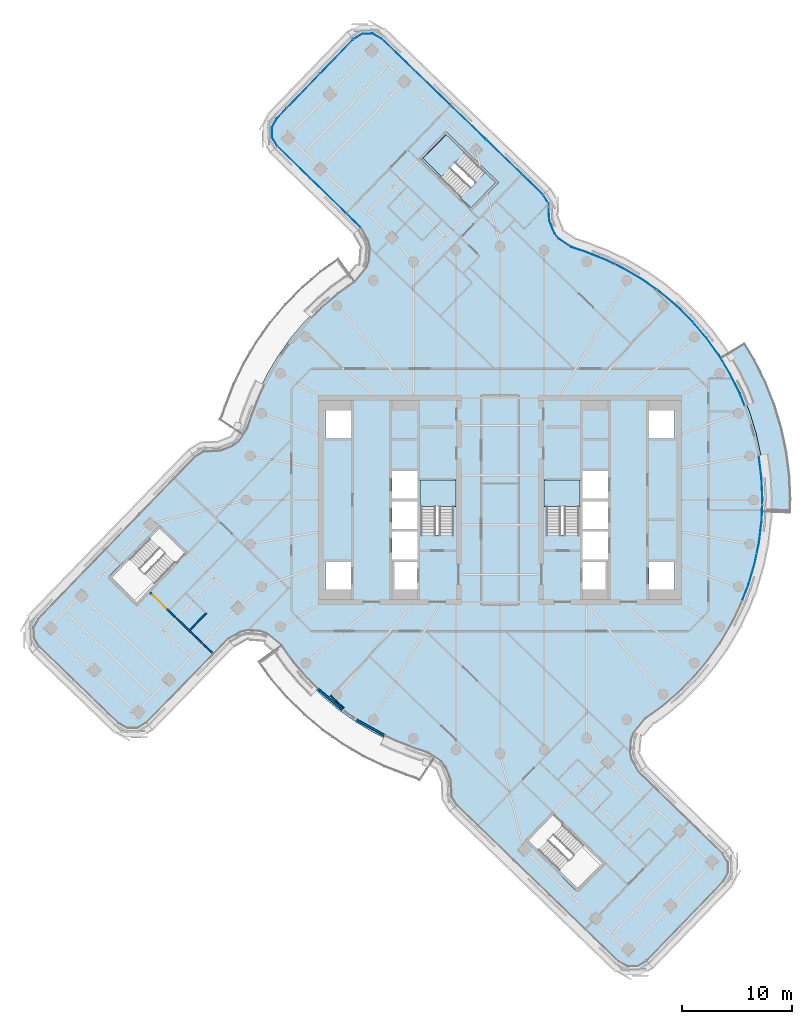
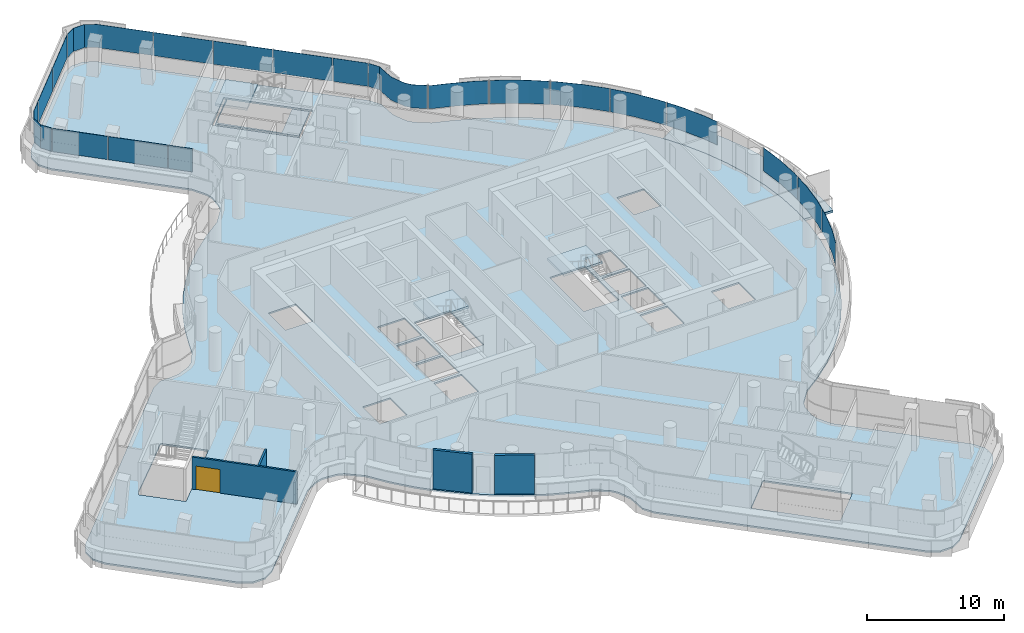
# One storey, part 18 of 31: 20 plates, 6 slabs, 5 walls, 1 door, 1 opening, 7 elements without a shape of their own.
"""IFC4 building model written with IfcOpenShell, lengths in metres."""

from ifc_helpers import new_model, si_unit, direction, frame, frame_2d, origin, place, context, subcontext, project, spatial, polyline, rectangle, outline, extrude, material, layer, layer_set, type_object, element, fill, aggregate, save


model = new_model("IFC4")

# Units and contexts
model_context = context("Model", 3, precision=1e-05, world=origin(), true_north=direction((0.0, 1.0)))
body_context = subcontext(model_context, "Body", "Model", "MODEL_VIEW")
ifc_project = project(units=[si_unit("LENGTHUNIT", "METRE"), si_unit("AREAUNIT", "SQUARE_METRE"), si_unit("VOLUMEUNIT", "CUBIC_METRE"), si_unit("PLANEANGLEUNIT", "RADIAN"), si_unit("MASSUNIT", "GRAM", prefix="KILO")], contexts=[model_context])

# Site, building, storey
site_placement = place(None, origin())
site = spatial("IfcSite", under=ifc_project, at=site_placement, CompositionType="ELEMENT")
building_placement = place(site_placement, origin())
building = spatial("IfcBuilding", under=site, at=building_placement, Name="Tamarind Cross Interchange Tower", CompositionType="ELEMENT")
storey_placement = place(building_placement, frame((0.0, 0.0, 200.5)))
storey = spatial("IfcBuildingStorey", under=building, at=storey_placement, Name="L50", CompositionType="ELEMENT", Elevation=200.5)

# Slabs
ifc_material_1 = material(Name="Precast concrete C40", Category="concrete")
ifc_layer_1 = layer(ifc_material_1, 0.199951171875)
ifc_layer_set_1 = layer_set([ifc_layer_1], Name="Precast concrete C40")
slab_type_1 = type_object("IfcSlabType", Name="Balcony slab", PredefinedType="BASESLAB", material=ifc_layer_set_1)
slab_1_placement = place(storey_placement, frame((0.0, 0.0, -0.199951171875)))
element("IfcSlab", 1, at=slab_1_placement, inside=storey, type_object=slab_type_1, Name="SLB-L50-BAL06", PredefinedType="BASESLAB", context=body_context, shape_type="SweptSolid", body=[
    extrude(outline(polyline([(23.953369140625, -1.03955078125), (23.995849609375, 0.103271484375), (23.9052734375, 2.08447265625), (23.6513671875, 4.051513671875), (23.236083984375, 5.99072265625), (22.662109375, 7.88916015625), (21.93310546875, 9.733642578125), (21.054443359375, 11.511474609375), (20.18017578125, 12.964599609375), (22.236572265625, 14.201904296875), (23.162109375, 12.663818359375), (24.128662109375, 10.7080078125), (24.9306640625, 8.6787109375), (25.56201171875, 6.59033203125), (26.01904296875, 4.45703125), (26.298095703125, 2.293212890625), (26.397705078125, 0.113525390625), (26.351806640625, -1.12841796875), (23.953369140625, -1.03955078125)])), origin(), (0.0, 0.0, 1.0), 0.199951171875),
])
ifc_material_2 = material(Name="Concrete C35", Category="concrete")
ifc_layer_2 = layer(ifc_material_2, 0.139892578125)
ifc_layer_set_2 = layer_set([ifc_layer_2], Name="Concrete C35")
slab_type_2 = type_object("IfcSlabType", Name="Composite slab 140 Concrete C35", PredefinedType="FLOOR", material=ifc_layer_set_2)
slab_2_placement = place(storey_placement, frame((0.0, 0.0, -0.139892578125)))
element("IfcSlab", 2, at=slab_2_placement, inside=storey, type_object=slab_type_2, Name="Floor slab L50", PredefinedType="FLOOR", context=body_context, shape_type="SweptSolid", body=[
    extrude(outline(polyline([(-26.953857421875, 4.587158203125), (-27.806640625, 4.064697265625), (-41.9814453125, -10.59912109375), (-42.48388671875, -11.504150390625), (-42.46630859375, -12.539306640625), (-41.93359375, -13.427001953125), (-34.74365234375, -20.377197265625), (-33.83837890625, -20.879638671875), (-32.80322265625, -20.862060546875), (-31.915771484375, -20.329345703125), (-24.533935546875, -12.753662109375), (-23.410400390625, -12.125), (-22.860107421875, -12.003173828125), (-21.723388671875, -12.087646484375), (-21.197265625, -12.28955078125), (-19.978271484375, -13.2861328125), (-18.87255859375, -14.820068359375), (-17.584228515625, -16.327880859375), (-16.17578125, -17.72412109375), (-14.656982421875, -18.99951171875), (-13.0380859375, -20.14501953125), (-11.329833984375, -21.15283203125), (-9.54443359375, -22.01611328125), (-7.693603515625, -22.72900390625), (-6.571044921875, -23.109130859375), (-5.478759765625, -23.836181640625), (-5.115478515625, -24.280517578125), (-4.6767578125, -25.355712890625), (-4.63134765625, -25.95458984375), (-4.587158203125, -26.953857421875), (-4.064697265625, -27.806640625), (10.59912109375, -41.9814453125), (11.504150390625, -42.48388671875), (12.539306640625, -42.46630859375), (13.427001953125, -41.93359375), (20.377197265625, -34.74365234375), (20.879638671875, -33.83837890625), (20.862060546875, -32.80322265625), (20.329345703125, -31.915771484375), (12.753662109375, -24.533935546875), (12.125, -23.410400390625), (12.003173828125, -22.860107421875), (12.087646484375, -21.723388671875), (12.28955078125, -21.197265625), (13.2861328125, -19.978271484375), (14.820068359375, -18.87255859375), (16.327880859375, -17.584228515625), (17.72412109375, -16.17578125), (18.99951171875, -14.656982421875), (20.14501953125, -13.0380859375), (21.15283203125, -11.329833984375), (22.01611328125, -9.54443359375), (22.72900390625, -7.693603515625), (23.286865234375, -5.79052734375), (23.685546875, -3.84765625), (23.92236328125, -1.878662109375), (23.99560546875, 0.103271484375), (23.9052734375, 2.08447265625), (23.651611328125, 4.051513671875), (23.236083984375, 5.99072265625), (22.662109375, 7.88916015625), (21.93310546875, 9.7333984375), (21.054443359375, 11.511474609375), (20.031982421875, 13.2109375), (18.87255859375, 14.820068359375), (17.584228515625, 16.327880859375), (16.17578125, 17.72412109375), (14.656982421875, 18.99951171875), (13.0380859375, 20.14501953125), (11.329833984375, 21.15283203125), (9.54443359375, 22.01611328125), (7.693603515625, 22.72900390625), (6.571044921875, 23.109130859375), (5.478759765625, 23.836181640625), (5.115478515625, 24.280517578125), (4.6767578125, 25.355712890625), (4.63134765625, 25.95458984375), (4.587158203125, 26.953857421875), (4.064697265625, 27.806640625), (-10.59912109375, 41.9814453125), (-11.504150390625, 42.48388671875), (-12.539306640625, 42.46630859375), (-13.427001953125, 41.93359375), (-20.377197265625, 34.74365234375), (-20.879638671875, 33.83837890625), (-20.862060546875, 32.80322265625), (-20.329345703125, 31.915771484375), (-12.753662109375, 24.533935546875), (-12.125, 23.410400390625), (-12.003173828125, 22.860107421875), (-12.087646484375, 21.723388671875), (-12.28955078125, 21.197265625), (-13.2861328125, 19.978271484375), (-14.820068359375, 18.87255859375), (-16.327880859375, 17.584228515625), (-17.72412109375, 16.17578125), (-18.99951171875, 14.656982421875), (-20.14501953125, 13.0380859375), (-21.15283203125, 11.329833984375), (-22.01611328125, 9.54443359375), (-22.72900390625, 7.693603515625), (-23.109130859375, 6.571044921875), (-23.836181640625, 5.478759765625), (-24.280517578125, 5.115478515625), (-25.355712890625, 4.6767578125), (-25.95458984375, 4.63134765625), (-26.953857421875, 4.587158203125)]), holes=[polyline([(-32.940673828125, -9.59130859375), (-33.08447265625, -9.452392578125), (-35.385009765625, -7.228271484375), (-35.52880859375, -7.08935546875), (-35.330810546875, -6.88427734375), (-35.373046875, -6.841796875), (-33.0439453125, -4.5185546875), (-30.872314453125, -2.27197265625), (-30.728515625, -2.410888671875), (-28.427734375, -4.635009765625), (-28.283935546875, -4.774169921875), (-32.940673828125, -9.59130859375)]), polyline([(-13.5, -8.125), (-15.800048828125, -8.125), (-15.800048828125, -5.625), (-13.5, -5.625), (-13.5, -8.125)]), polyline([(-7.5, -8.125), (-9.800048828125, -8.125), (-9.800048828125, -5.625), (-7.5, -5.625), (-7.5, -8.125)]), polyline([(-7.5, -5.375), (-9.800048828125, -5.375), (-9.800048828125, -2.875), (-7.5, -2.875), (-7.5, -5.375)]), polyline([(-7.5, -2.625), (-9.800048828125, -2.625), (-9.800048828125, -0.125), (-7.5, -0.125), (-7.5, -2.625)]), polyline([(-4.199951171875, 1.800048828125), (-4.199951171875, -3.18798828125), (-7.14990234375, -3.18798828125), (-7.14990234375, 1.800048828125), (-4.199951171875, 1.800048828125)]), polyline([(-7.5, 0.125), (-9.800048828125, 0.125), (-9.800048828125, 2.625), (-7.5, 2.625), (-7.5, 0.125)]), polyline([(-13.5, 5.625), (-15.800048828125, 5.625), (-15.800048828125, 8.125), (-13.5, 8.125), (-13.5, 5.625)]), polyline([(-2.6171875, 26.198974609375), (-7.434326171875, 30.85546875), (-7.29541015625, 30.999267578125), (-5.0712890625, 33.300048828125), (-4.932373046875, 33.44384765625), (-4.726806640625, 33.245361328125), (-4.72314453125, 33.2490234375), (-4.5185546875, 33.0439453125), (-0.114990234375, 28.787109375), (-0.254150390625, 28.6435546875), (-2.47802734375, 26.3427734375), (-2.6171875, 26.198974609375)]), polyline([(2.27197265625, -30.872314453125), (2.410888671875, -30.728515625), (4.635009765625, -28.427734375), (4.774169921875, -28.283935546875), (9.59130859375, -32.940673828125), (9.452392578125, -33.08447265625), (7.228271484375, -35.385009765625), (7.08935546875, -35.52880859375), (6.88427734375, -35.330810546875), (6.841796875, -35.373046875), (4.5185546875, -33.0439453125), (2.27197265625, -30.872314453125)]), polyline([(7.5, -5.625), (9.800048828125, -5.625), (9.800048828125, -8.125), (7.5, -8.125), (7.5, -5.625)]), polyline([(13.5, -5.625), (15.800048828125, -5.625), (15.800048828125, -8.125), (13.5, -8.125), (13.5, -5.625)]), polyline([(7.5, -2.875), (9.800048828125, -2.875), (9.800048828125, -5.375), (7.5, -5.375), (7.5, -2.875)]), polyline([(7.5, -0.125), (9.800048828125, -0.125), (9.800048828125, -2.625), (7.5, -2.625), (7.5, -0.125)]), polyline([(7.14990234375, 1.800048828125), (7.14990234375, -3.18798828125), (4.199951171875, -3.18798828125), (4.199951171875, 1.800048828125), (7.14990234375, 1.800048828125)]), polyline([(7.5, 2.625), (9.800048828125, 2.625), (9.800048828125, 0.125), (7.5, 0.125), (7.5, 2.625)]), polyline([(13.5, 8.125), (15.800048828125, 8.125), (15.800048828125, 5.625), (13.5, 5.625), (13.5, 8.125)])]), origin(), (0.0, 0.0, 1.0), 0.139892578125),
])
slab_3_placement = place(storey_placement, frame((0.0, 0.0, -0.139892578125)))
element("IfcSlab", 3, at=slab_3_placement, inside=storey, type_object=slab_type_2, Name="Floor slab L50", PredefinedType="FLOOR", context=body_context, shape_type="SweptSolid", body=[
    extrude(outline(polyline([(-4.927490234375, 33.1611328125), (-7.151611328125, 30.8603515625), (-2.621826171875, 26.481689453125), (-0.39794921875, 28.782470703125), (-1.34130859375, 29.6943359375), (-3.485107421875, 27.4765625), (-6.98876953125, 30.9892578125), (-4.868408203125, 33.10400390625), (-4.927490234375, 33.1611328125)])), origin(), (0.0, 0.0, 1.0), 0.139892578125),
])

# Stair, slab
ifc_material_3 = material(Name="Exit stair")
stair_type = type_object("IfcStairType", Name="Exit stair", PredefinedType="HALF_TURN_STAIR", material=ifc_material_3)
stair_1_placement = place(storey_placement, origin())
stair_1 = element("IfcStair", 4, at=stair_1_placement, inside=storey, type_object=stair_type, Name="L50 exit stair ST1", PredefinedType="HALF_TURN_STAIR")
ifc_material_4 = material(Name="Concrete C40", Category="concrete")
ifc_layer_3 = layer(ifc_material_4, 0.199951171875)
ifc_layer_set_3 = layer_set([ifc_layer_3], Name="Concrete C40")
slab_type_3 = type_object("IfcSlabType", Name="Stair landing", PredefinedType="LANDING", material=ifc_layer_set_3)
slab_4_placement = place(storey_placement, frame((0.0, 0.0, 1.60009765625)))
slab_4 = element("IfcSlab", 5, at=slab_4_placement, type_object=slab_type_3, Name="ST1 landing 1", PredefinedType="LANDING", context=body_context, shape_type="SweptSolid", body=[
    extrude(outline(polyline([(-4.0, -0.60009765625), (-4.0, 1.800048828125), (-7.25, 1.800048828125), (-7.25, -0.60009765625), (-4.0, -0.60009765625)])), origin(), (0.0, 0.0, 1.0), 0.199951171875),
])
aggregate(stair_1, [slab_4])

stair_2_placement = place(storey_placement, origin())
stair_2 = element("IfcStair", 6, at=stair_2_placement, inside=storey, type_object=stair_type, Name="L50 exit stair ST2", PredefinedType="HALF_TURN_STAIR")
slab_5_placement = place(storey_placement, frame((0.0, 0.0, 1.60009765625)))
slab_5 = element("IfcSlab", 7, at=slab_5_placement, type_object=slab_type_3, Name="ST2 landing 1", PredefinedType="LANDING", context=body_context, shape_type="SweptSolid", body=[
    extrude(outline(polyline([(7.25, -0.60009765625), (7.25, 1.800048828125), (4.0, 1.800048828125), (4.0, -0.60009765625), (7.25, -0.60009765625)])), origin(), (0.0, 0.0, 1.0), 0.199951171875),
])
aggregate(stair_2, [slab_5])

stair_3_placement = place(storey_placement, origin())
stair_3 = element("IfcStair", 8, at=stair_3_placement, inside=storey, type_object=stair_type, Name="L50 exit stair ST4", PredefinedType="HALF_TURN_STAIR")
slab_6_placement = place(storey_placement, frame((0.0, 0.0, 1.60009765625)))
slab_6 = element("IfcSlab", 9, at=slab_6_placement, type_object=slab_type_3, Name="ST4 landing 1", PredefinedType="LANDING", context=body_context, shape_type="SweptSolid", body=[
    extrude(outline(polyline([(-3.193359375, 31.484619140625), (-4.927490234375, 33.1611328125), (-7.151611328125, 30.8603515625), (-5.41748046875, 29.183837890625), (-3.193359375, 31.484619140625)])), origin(), (0.0, 0.0, 1.0), 0.199951171875),
])
aggregate(stair_3, [slab_6])

# Curtain wall, plates
ifc_material_5 = material(Name="Aluminium 6063-T6", Category="aluminium")
ifc_layer_4 = layer(ifc_material_5, 0.139892578125)
ifc_layer_set_4 = layer_set([ifc_layer_4], Name="Aluminium 6063-T6")
curtain_wall_type = type_object("IfcCurtainWallType", Name="Hotel curtain wall, 4.5 m bays", PredefinedType="NOTDEFINED", material=ifc_layer_set_4)
curtain_wall_1_placement = place(storey_placement, origin())
curtain_wall_1 = element("IfcCurtainWall", 10, at=curtain_wall_1_placement, inside=storey, type_object=curtain_wall_type, Name="CWS-L50-06", PredefinedType="NOTDEFINED")
ifc_material_6 = material(Name="Laminated low-e glass 6+1.52+6", Category="glass")
ifc_layer_5 = layer(ifc_material_6, 0.02392578125)
ifc_layer_set_5 = layer_set([ifc_layer_5], Name="Laminated low-e glass 6+1.52+6")
plate_type = type_object("IfcPlateType", Name="Vision panel CW2", PredefinedType="CURTAIN_PANEL", material=ifc_layer_set_5)
plate_1_placement = place(storey_placement, frame((0.0, 0.0, 1.39990234375)))
plate_1 = element("IfcPlate", 11, at=plate_1_placement, type_object=plate_type, Name="CWP-L50-06-04", PredefinedType="CURTAIN_PANEL", context=body_context, shape_type="SweptSolid", body=[
    extrude(outline(polyline([(21.964599609375, -9.088623046875), (22.528076171875, -7.625732421875), (23.080810546875, -5.7392578125), (23.256103515625, -4.88525390625), (23.279541015625, -4.89013671875), (23.104248046875, -5.7451171875), (22.55078125, -7.63330078125), (21.98681640625, -9.09716796875), (21.964599609375, -9.088623046875)])), origin(), (0.0, 0.0, 1.0), 2.06005859375),
])
plate_2_placement = place(storey_placement, frame((0.0, 0.0, 1.39990234375)))
plate_2 = element("IfcPlate", 12, at=plate_2_placement, type_object=plate_type, Name="CWP-L50-06-05", PredefinedType="CURTAIN_PANEL", context=body_context, shape_type="SweptSolid", body=[
    extrude(outline(polyline([(23.268310546875, -4.826416015625), (23.47607421875, -3.813720703125), (23.710693359375, -1.862060546875), (23.7626953125, -0.45751953125), (23.786865234375, -0.45849609375), (23.734619140625, -1.864013671875), (23.499755859375, -3.817626953125), (23.291748046875, -4.831298828125), (23.268310546875, -4.826416015625)])), origin(), (0.0, 0.0, 1.0), 2.06005859375),
])
plate_3_placement = place(storey_placement, frame((0.0, 0.0, 1.39990234375)))
plate_3 = element("IfcPlate", 13, at=plate_3_placement, type_object=plate_type, Name="CWP-L50-06-06", PredefinedType="CURTAIN_PANEL", context=body_context, shape_type="SweptSolid", body=[
    extrude(outline(polyline([(23.76513671875, -0.3974609375), (23.783447265625, 0.102294921875), (23.69384765625, 2.06591796875), (23.44580078125, 3.98876953125), (23.469482421875, 3.991943359375), (23.7177734375, 2.068115234375), (23.8076171875, 0.1025390625), (23.7890625, -0.3984375), (23.76513671875, -0.3974609375)])), origin(), (0.0, 0.0, 1.0), 2.06005859375),
])
plate_4_placement = place(storey_placement, frame((0.0, 0.0, 1.39990234375)))
plate_4 = element("IfcPlate", 14, at=plate_4_placement, type_object=plate_type, Name="CWP-L50-06-08", PredefinedType="CURTAIN_PANEL", context=body_context, shape_type="SweptSolid", body=[
    extrude(outline(polyline([(22.176025390625, 8.5419921875), (21.7392578125, 9.6474609375), (20.868408203125, 11.40966796875), (20.223388671875, 12.4814453125), (20.243896484375, 12.493896484375), (20.889404296875, 11.421142578125), (21.76123046875, 9.6572265625), (22.198486328125, 8.55078125), (22.176025390625, 8.5419921875)])), origin(), (0.0, 0.0, 1.0), 2.06005859375),
])
plate_5_placement = place(storey_placement, frame((0.0, 0.0, 1.39990234375)))
plate_5 = element("IfcPlate", 15, at=plate_5_placement, type_object=plate_type, Name="CWP-L50-06-09", PredefinedType="CURTAIN_PANEL", context=body_context, shape_type="SweptSolid", body=[
    extrude(outline(polyline([(20.1923828125, 12.532958984375), (19.854736328125, 13.093994140625), (18.705810546875, 14.68896484375), (17.546630859375, 16.045654296875), (17.564697265625, 16.061279296875), (18.724609375, 14.703857421875), (19.874755859375, 13.107177734375), (20.213134765625, 12.545166015625), (20.1923828125, 12.532958984375)])), origin(), (0.0, 0.0, 1.0), 2.06005859375),
])
plate_6_placement = place(storey_placement, frame((0.0, 0.0, 1.39990234375)))
plate_6 = element("IfcPlate", 16, at=plate_6_placement, type_object=plate_type, Name="CWP-L50-06-10", PredefinedType="CURTAIN_PANEL", context=body_context, shape_type="SweptSolid", body=[
    extrude(outline(polyline([(17.507568359375, 16.09130859375), (17.4287109375, 16.183349609375), (16.032958984375, 17.5673828125), (14.52734375, 18.83154296875), (14.240966796875, 19.0341796875), (14.2548828125, 19.0537109375), (14.5419921875, 18.850341796875), (16.049072265625, 17.585205078125), (17.4462890625, 16.19970703125), (17.52587890625, 16.10693359375), (17.507568359375, 16.09130859375)])), origin(), (0.0, 0.0, 1.0), 2.06005859375),
])
plate_7_placement = place(storey_placement, frame((0.0, 0.0, 1.39990234375)))
plate_7 = element("IfcPlate", 17, at=plate_7_placement, type_object=plate_type, Name="CWP-L50-06-11", PredefinedType="CURTAIN_PANEL", context=body_context, shape_type="SweptSolid", body=[
    extrude(outline(polyline([(14.19189453125, 19.06884765625), (12.922607421875, 19.966796875), (11.229736328125, 20.9658203125), (10.433349609375, 21.350830078125), (10.443603515625, 21.37255859375), (11.240966796875, 20.98681640625), (12.935791015625, 19.987060546875), (14.205810546875, 19.08837890625), (14.19189453125, 19.06884765625)])), origin(), (0.0, 0.0, 1.0), 2.06005859375),
])
plate_8_placement = place(storey_placement, frame((0.0, 0.0, 1.39990234375)))
plate_8 = element("IfcPlate", 18, at=plate_8_placement, type_object=plate_type, Name="CWP-L50-06-12", PredefinedType="CURTAIN_PANEL", context=body_context, shape_type="SweptSolid", body=[
    extrude(outline(polyline([(10.379150390625, 21.376953125), (9.4599609375, 21.821533203125), (7.62158203125, 22.52978515625), (6.476806640625, 22.917236328125), (6.2783203125, 23.04931640625), (6.291748046875, 23.069091796875), (6.487548828125, 22.93896484375), (7.6298828125, 22.55224609375), (9.469482421875, 21.843505859375), (10.3896484375, 21.398681640625), (10.379150390625, 21.376953125)])), origin(), (0.0, 0.0, 1.0), 2.06005859375),
])
plate_9_placement = place(storey_placement, frame((0.0, 0.0, 1.39990234375)))
plate_9 = element("IfcPlate", 19, at=plate_9_placement, type_object=plate_type, Name="CWP-L50-06-13", PredefinedType="CURTAIN_PANEL", context=body_context, shape_type="SweptSolid", body=[
    extrude(outline(polyline([(6.228515625, 23.08251953125), (5.3349609375, 23.677490234375), (4.93115234375, 24.171142578125), (4.468017578125, 25.306640625), (4.419677734375, 25.941650390625), (4.377685546875, 26.8896484375), (3.912841796875, 27.648681640625), (3.933349609375, 27.661376953125), (4.4013671875, 26.89697265625), (4.443603515625, 25.943115234375), (4.49169921875, 25.312255859375), (4.9521484375, 24.183349609375), (5.35107421875, 23.6953125), (6.24169921875, 23.1025390625), (6.228515625, 23.08251953125)])), origin(), (0.0, 0.0, 1.0), 2.06005859375),
])
aggregate(curtain_wall_1, [plate_1, plate_2, plate_3, plate_4, plate_5, plate_6, plate_7, plate_8, plate_9])

curtain_wall_2_placement = place(storey_placement, origin())
curtain_wall_2 = element("IfcCurtainWall", 20, at=curtain_wall_2_placement, inside=storey, type_object=curtain_wall_type, Name="CWS-L50-07", PredefinedType="NOTDEFINED")
plate_10_placement = place(storey_placement, frame((0.0, 0.0, 1.39990234375)))
plate_10 = element("IfcPlate", 21, at=plate_10_placement, type_object=plate_type, Name="CWP-L50-07-00", PredefinedType="CURTAIN_PANEL", context=body_context, shape_type="SweptSolid", body=[
    extrude(outline(polyline([(3.87744140625, 27.69287109375), (1.993896484375, 29.513671875), (2.010498046875, 29.531005859375), (3.894287109375, 27.7099609375), (3.87744140625, 27.69287109375)])), origin(), (0.0, 0.0, 1.0), 2.06005859375),
])
plate_11_placement = place(storey_placement, frame((0.0, 0.0, 1.39990234375)))
plate_11 = element("IfcPlate", 22, at=plate_11_placement, type_object=plate_type, Name="CWP-L50-07-01", PredefinedType="CURTAIN_PANEL", context=body_context, shape_type="SweptSolid", body=[
    extrude(outline(polyline([(1.95068359375, 29.555419921875), (-1.2333984375, 32.63330078125), (-1.216796875, 32.650634765625), (1.96728515625, 29.572509765625), (1.95068359375, 29.555419921875)])), origin(), (0.0, 0.0, 1.0), 2.06005859375),
])
plate_12_placement = place(storey_placement, frame((0.0, 0.0, 1.39990234375)))
plate_12 = element("IfcPlate", 23, at=plate_12_placement, type_object=plate_type, Name="CWP-L50-07-02", PredefinedType="CURTAIN_PANEL", context=body_context, shape_type="SweptSolid", body=[
    extrude(outline(polyline([(-1.276611328125, 32.675048828125), (-4.460693359375, 35.7529296875), (-4.444091796875, 35.770263671875), (-1.260009765625, 32.6923828125), (-1.276611328125, 32.675048828125)])), origin(), (0.0, 0.0, 1.0), 2.06005859375),
])
plate_13_placement = place(storey_placement, frame((0.0, 0.0, 1.39990234375)))
plate_13 = element("IfcPlate", 24, at=plate_13_placement, type_object=plate_type, Name="CWP-L50-07-03", PredefinedType="CURTAIN_PANEL", context=body_context, shape_type="SweptSolid", body=[
    extrude(outline(polyline([(-4.50390625, 35.794677734375), (-7.68798828125, 38.87255859375), (-7.671142578125, 38.889892578125), (-4.487060546875, 35.81201171875), (-4.50390625, 35.794677734375)])), origin(), (0.0, 0.0, 1.0), 2.06005859375),
])
plate_14_placement = place(storey_placement, frame((0.0, 0.0, 1.39990234375)))
plate_14 = element("IfcPlate", 25, at=plate_14_placement, type_object=plate_type, Name="CWP-L50-07-04", PredefinedType="CURTAIN_PANEL", context=body_context, shape_type="SweptSolid", body=[
    extrude(outline(polyline([(-7.73095703125, 38.914306640625), (-10.726318359375, 41.809814453125), (-11.557373046875, 42.27099609375), (-12.47900390625, 42.25537109375), (-13.26953125, 41.78076171875), (-13.281982421875, 41.80126953125), (-12.48583984375, 42.279296875), (-11.551513671875, 42.295166015625), (-10.7119140625, 41.8291015625), (-7.71435546875, 38.931640625), (-7.73095703125, 38.914306640625)])), origin(), (0.0, 0.0, 1.0), 2.06005859375),
])
aggregate(curtain_wall_2, [plate_10, plate_11, plate_12, plate_13, plate_14])

curtain_wall_3_placement = place(storey_placement, origin())
curtain_wall_3 = element("IfcCurtainWall", 26, at=curtain_wall_3_placement, inside=storey, type_object=curtain_wall_type, Name="CWS-L50-08", PredefinedType="NOTDEFINED")
plate_15_placement = place(storey_placement, frame((0.0, 0.0, 1.39990234375)))
plate_15 = element("IfcPlate", 27, at=plate_15_placement, type_object=plate_type, Name="CWP-L50-08-00", PredefinedType="CURTAIN_PANEL", context=body_context, shape_type="SweptSolid", body=[
    extrude(outline(polyline([(-13.313720703125, 41.745849609375), (-16.292236328125, 38.66455078125), (-16.3095703125, 38.68115234375), (-13.3310546875, 41.762451171875), (-13.313720703125, 41.745849609375)])), origin(), (0.0, 0.0, 1.0), 2.06005859375),
])
plate_16_placement = place(storey_placement, frame((0.0, 0.0, 1.39990234375)))
plate_16 = element("IfcPlate", 28, at=plate_16_placement, type_object=plate_type, Name="CWP-L50-08-01", PredefinedType="CURTAIN_PANEL", context=body_context, shape_type="SweptSolid", body=[
    extrude(outline(polyline([(-16.333984375, 38.621337890625), (-19.312744140625, 35.5400390625), (-19.329833984375, 35.556640625), (-16.351318359375, 38.637939453125), (-16.333984375, 38.621337890625)])), origin(), (0.0, 0.0, 1.0), 2.06005859375),
])
plate_17_placement = place(storey_placement, frame((0.0, 0.0, 1.39990234375)))
plate_17 = element("IfcPlate", 29, at=plate_17_placement, type_object=plate_type, Name="CWP-L50-08-02", PredefinedType="CURTAIN_PANEL", context=body_context, shape_type="SweptSolid", body=[
    extrude(outline(polyline([(-19.354248046875, 35.496826171875), (-20.205322265625, 34.616455078125), (-20.666748046875, 33.78515625), (-20.651123046875, 32.86376953125), (-20.17626953125, 32.07275390625), (-20.19677734375, 32.060302734375), (-20.675048828125, 32.85693359375), (-20.690673828125, 33.791259765625), (-20.224853515625, 34.630859375), (-19.37158203125, 35.513427734375), (-19.354248046875, 35.496826171875)])), origin(), (0.0, 0.0, 1.0), 2.06005859375),
])
aggregate(curtain_wall_3, [plate_15, plate_16, plate_17])

curtain_wall_4_placement = place(storey_placement, origin())
curtain_wall_4 = element("IfcCurtainWall", 30, at=curtain_wall_4_placement, inside=storey, type_object=curtain_wall_type, Name="CWS-L50-09", PredefinedType="NOTDEFINED")
plate_18_placement = place(storey_placement, frame((0.0, 0.0, 1.39990234375)))
plate_18 = element("IfcPlate", 31, at=plate_18_placement, type_object=plate_type, Name="CWP-L50-09-00", PredefinedType="CURTAIN_PANEL", context=body_context, shape_type="SweptSolid", body=[
    extrude(outline(polyline([(-20.141357421875, 32.028564453125), (-17.16943359375, 29.1328125), (-17.186279296875, 29.115478515625), (-20.157958984375, 32.01123046875), (-20.141357421875, 32.028564453125)])), origin(), (0.0, 0.0, 1.0), 2.06005859375),
])
plate_19_placement = place(storey_placement, frame((0.0, 0.0, 1.39990234375)))
plate_19 = element("IfcPlate", 32, at=plate_19_placement, type_object=plate_type, Name="CWP-L50-09-01", PredefinedType="CURTAIN_PANEL", context=body_context, shape_type="SweptSolid", body=[
    extrude(outline(polyline([(-17.12646484375, 29.0908203125), (-13.945556640625, 25.991455078125), (-13.96240234375, 25.97412109375), (-17.143310546875, 29.07373046875), (-17.12646484375, 29.0908203125)])), origin(), (0.0, 0.0, 1.0), 2.06005859375),
])
plate_20_placement = place(storey_placement, frame((0.0, 0.0, 1.39990234375)))
plate_20 = element("IfcPlate", 33, at=plate_20_placement, type_object=plate_type, Name="CWP-L50-09-02", PredefinedType="CURTAIN_PANEL", context=body_context, shape_type="SweptSolid", body=[
    extrude(outline(polyline([(-13.902587890625, 25.949462890625), (-12.6064453125, 24.6865234375), (-12.623291015625, 24.66943359375), (-13.91943359375, 25.932373046875), (-13.902587890625, 25.949462890625)])), origin(), (0.0, 0.0, 1.0), 2.06005859375),
])
aggregate(curtain_wall_4, [plate_18, plate_19, plate_20])

# Walls
ifc_layer_6 = layer(ifc_material_4, 0.199951171875)
ifc_layer_set_6 = layer_set([ifc_layer_6], Name="Concrete C40")
wall_type_1 = type_object("IfcWallType", Name="Balcony and garden door wall", PredefinedType="SOLIDWALL", material=ifc_layer_set_6)
wall_1_placement = place(storey_placement, frame((-16.515625, -17.105712890625, 0.0), z_axis=(0.0, 0.0, 1.0), x_axis=(0.758985417635, -0.651107622301, 0.0)))
element("IfcWall", 34, at=wall_1_placement, inside=storey, type_object=wall_type_1, Name="EXW-L50-02-D02L", PredefinedType="SOLIDWALL", context=body_context, shape_type="SweptSolid", body=[
    extrude(rectangle(XDim=2.924072265625, YDim=0.199951171875, at=frame_2d((1.4619140625, 0.0))), origin(), (0.0, 0.0, 1.0), 3.4599609375),
])
wall_2_placement = place(storey_placement, frame((-12.990478515625, -19.93359375, 0.0), z_axis=(0.0, 0.0, 1.0), x_axis=(0.872672529234, -0.488305904859, 0.0)))
element("IfcWall", 35, at=wall_2_placement, inside=storey, type_object=wall_type_1, Name="EXW-L50-02-D02R", PredefinedType="SOLIDWALL", context=body_context, shape_type="SweptSolid", body=[
    extrude(rectangle(XDim=2.92431640625, YDim=0.199951171875, at=frame_2d((1.462158203125, 0.0))), origin(), (0.0, 0.0, 1.0), 3.4599609375),
])
ifc_material_7 = material(Name="Gypsum board partition on steel studs", Category="steel")
ifc_layer_7 = layer(ifc_material_7, 0.10009765625)
ifc_layer_set_7 = layer_set([ifc_layer_7], Name="Gypsum board partition on steel studs")
wall_type_2 = type_object("IfcWallType", Name="Partition 100 mm EI 90", PredefinedType="PARTITIONING", material=ifc_layer_set_7)
wall_3_placement = place(storey_placement, frame((-15.347900390625, -17.73388671875, 0.0), z_axis=(0.0, 0.0, 1.0), x_axis=(0.718812747539, -0.695203735588, 0.0)))
element("IfcWall", 36, at=wall_3_placement, inside=storey, type_object=wall_type_2, Name="Partition L50-008", PredefinedType="PARTITIONING", context=body_context, shape_type="SweptSolid", body=[
    extrude(rectangle(XDim=1.644287109375, YDim=0.10009765625, at=frame_2d((0.822265625, 0.0))), origin(), (0.0, 0.0, 1.0), 2.864013671875),
])

# Wall, opening, door
ifc_layer_8 = layer(ifc_material_7, 0.14990234375)
ifc_layer_set_8 = layer_set([ifc_layer_8], Name="Gypsum board partition on steel studs")
wall_type_3 = type_object("IfcWallType", Name="Partition 150 mm EI 120", PredefinedType="PARTITIONING", material=ifc_layer_set_8)
wall_4_placement = place(storey_placement, frame((-31.731201171875, -8.3984375, 0.0), z_axis=(0.0, 0.0, 1.0), x_axis=(0.718671445245, -0.695349806781, 0.0)))
wall_4 = element("IfcWall", 37, at=wall_4_placement, inside=storey, type_object=wall_type_3, Name="Partition L50-004", PredefinedType="PARTITIONING", context=body_context, shape_type="SweptSolid", body=[
    extrude(rectangle(XDim=7.89306640625, YDim=0.14990234375, at=frame_2d((3.946533203125, 0.0))), origin(), (0.0, 0.0, 1.0), 2.864013671875),
])
opening_placement = place(wall_4_placement, frame((0.300048828125, 0.0, 0.0)))
opening = element("IfcOpeningElement", 38, at=opening_placement, cuts=wall_4, Name="Opening D01", PredefinedType="OPENING", context=body_context, shape_type="SweptSolid", body=[
    extrude(rectangle(XDim=1.800048828125, YDim=2.10009765625, at=frame_2d((0.89990234375, 1.050048828125))), frame((0.0, 0.0849609375, 0.0), z_axis=(0.0, -1.0, 0.0), x_axis=(1.0, 0.0, 0.0)), (0.0, 0.0, 1.0), 0.169921875),
])
ifc_material_8 = material(Name="Fire-resisting door set")
door_type = type_object("IfcDoorType", Name="Interior door 1800 x 2100 FD60S", OperationType="DOUBLE_DOOR_SINGLE_SWING", PredefinedType="DOOR", material=ifc_material_8)
door_placement = place(opening_placement, frame((1.800048828125, 0.0, 0.0), z_axis=(0.0, 0.0, 1.0), x_axis=(-1.0, 0.0, 0.0)))
door = element("IfcDoor", 39, at=door_placement, inside=storey, type_object=door_type, Name="Door D01", OperationType="DOUBLE_DOOR_SINGLE_SWING", OverallHeight=2.10009765625, OverallWidth=1.800048828125, PredefinedType="DOOR", context=body_context, shape_type="SweptSolid", body=[
    extrude(rectangle(XDim=1.800048828125, YDim=2.10009765625, at=frame_2d((0.89990234375, 1.050048828125))), frame((0.0, 0.02490234375, 0.0), z_axis=(0.0, -1.0, 0.0), x_axis=(1.0, 0.0, 0.0)), (0.0, 0.0, 1.0), 0.050048828125),
])
fill(opening, door)

# Wall
wall_5_placement = place(storey_placement, frame((-28.1083984375, -11.78662109375, 0.0), z_axis=(0.0, 0.0, 1.0), x_axis=(0.69491296031, 0.719093858681, 0.0)))
element("IfcWall", 40, at=wall_5_placement, inside=storey, type_object=wall_type_3, Name="Partition L50-041", PredefinedType="PARTITIONING", context=body_context, shape_type="SweptSolid", body=[
    extrude(rectangle(XDim=2.120361328125, YDim=0.14990234375, at=frame_2d((1.06005859375, 0.0))), origin(), (0.0, 0.0, 1.0), 2.864013671875),
])

save(model, "model.ifc")
